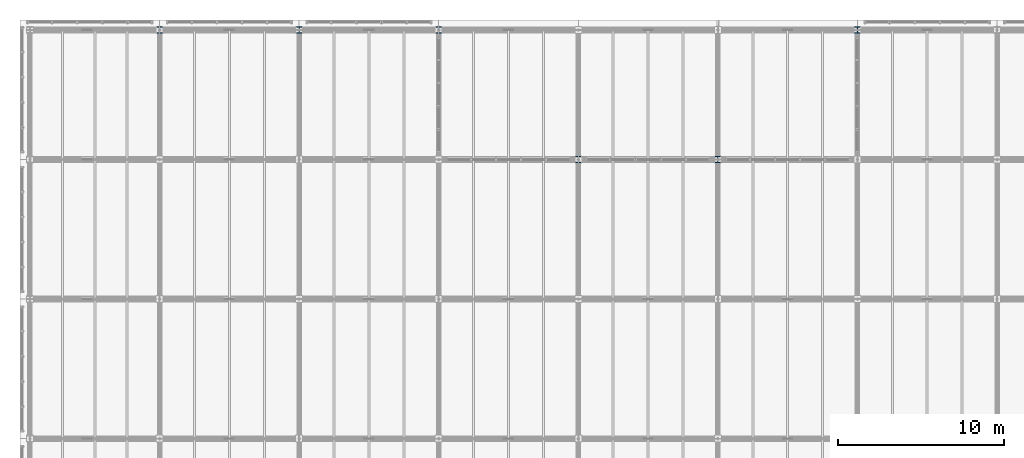
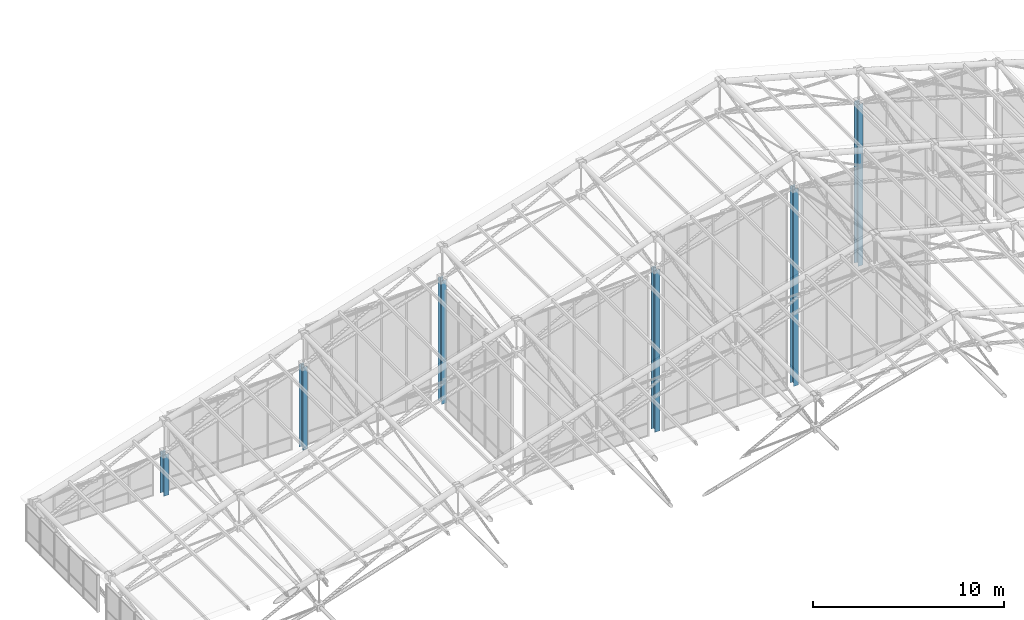
# One storey, part 7 of 144: 6 columns.
"""IFC4 building model written with IfcOpenShell, lengths in metres."""

from ifc_helpers import new_model, si_unit, direction, frame, origin, origin_2d, place, context, subcontext, project, spatial, i_section, extrude, material, material_profile, profile_set, type_object, element, save


model = new_model("IFC4")

# Units and contexts
model_context = context("Model", 3, precision=1e-05, world=origin(), true_north=direction((0.0, 1.0)))
body_context = subcontext(model_context, "Body", "Model", "MODEL_VIEW")
ifc_project = project(units=[si_unit("LENGTHUNIT", "METRE"), si_unit("AREAUNIT", "SQUARE_METRE"), si_unit("VOLUMEUNIT", "CUBIC_METRE"), si_unit("PLANEANGLEUNIT", "RADIAN"), si_unit("MASSUNIT", "GRAM", prefix="KILO")], contexts=[model_context])

# Site, building, storey
site_placement = place(None, origin())
site = spatial("IfcSite", under=ifc_project, at=site_placement, CompositionType="ELEMENT")
building_placement = place(site_placement, origin())
building = spatial("IfcBuilding", under=site, at=building_placement, Name="Zayran Congress Hotel", CompositionType="ELEMENT")
storey_placement = place(building_placement, frame((0.0, 0.0, 19.199951171875)))
storey = spatial("IfcBuildingStorey", under=building, at=storey_placement, Name="L04", CompositionType="ELEMENT", Elevation=19.199951171875)

# Columns
ifc_material = material(Name="Steel S355", Category="steel")
ifc_material_profile = material_profile(ifc_material, i_section(OverallWidth=0.300048828125, OverallDepth=0.39990234375, WebThickness=0.013427734375, FlangeThickness=0.02392578125, at=origin_2d()), Name="HEB 400")
ifc_profile_set = profile_set([ifc_material_profile], Name="Steel S355")
column_type = type_object("IfcColumnType", Name="TP-CL-07", PredefinedType="COLUMN", material=ifc_profile_set)
column_1_placement = place(storey_placement, frame((16.800048828125, 117.39990234375, 0.0), z_axis=(0.0, 0.0, 1.0), x_axis=(1.0, 0.0, 0.0)))
element("IfcColumn", 1, at=column_1_placement, inside=storey, type_object=column_type, Name="COL-V1-GAB-1410", PredefinedType="COLUMN", context=body_context, shape_type="SweptSolid", body=[
    extrude(i_section(OverallWidth=0.300048828125, OverallDepth=0.39990234375, WebThickness=0.013427734375, FlangeThickness=0.02392578125, at=origin_2d()), origin(), (0.0, 0.0, 1.0), 2.650146484375),
])
column_2_placement = place(storey_placement, frame((25.199951171875, 117.39990234375, 0.0), z_axis=(0.0, 0.0, 1.0), x_axis=(1.0, 0.0, 0.0)))
element("IfcColumn", 2, at=column_2_placement, inside=storey, type_object=column_type, Name="COL-V1-GAB-1412", PredefinedType="COLUMN", context=body_context, shape_type="SweptSolid", body=[
    extrude(i_section(OverallWidth=0.300048828125, OverallDepth=0.39990234375, WebThickness=0.013427734375, FlangeThickness=0.02392578125, at=origin_2d()), origin(), (0.0, 0.0, 1.0), 5.300048828125),
])
column_3_placement = place(storey_placement, frame((33.60009765625, 117.39990234375, 0.0), z_axis=(0.0, 0.0, 1.0), x_axis=(1.0, 0.0, 0.0)))
element("IfcColumn", 3, at=column_3_placement, inside=storey, type_object=column_type, Name="COL-V1-GAB-1414", PredefinedType="COLUMN", context=body_context, shape_type="SweptSolid", body=[
    extrude(i_section(OverallWidth=0.300048828125, OverallDepth=0.39990234375, WebThickness=0.013427734375, FlangeThickness=0.02392578125, at=origin_2d()), origin(), (0.0, 0.0, 1.0), 7.900146484375),
])
column_4_placement = place(storey_placement, frame((42.0, 109.60009765625, 0.0), z_axis=(0.0, 0.0, 1.0), x_axis=(1.0, 0.0, 0.0)))
element("IfcColumn", 4, at=column_4_placement, inside=storey, type_object=column_type, Name="COL-V1-GAB-1416", PredefinedType="COLUMN", context=body_context, shape_type="SweptSolid", body=[
    extrude(i_section(OverallWidth=0.300048828125, OverallDepth=0.39990234375, WebThickness=0.013427734375, FlangeThickness=0.02392578125, at=origin_2d()), origin(), (0.0, 0.0, 1.0), 10.35009765625),
])
column_5_placement = place(storey_placement, frame((50.39990234375, 109.60009765625, 0.0), z_axis=(0.0, 0.0, 1.0), x_axis=(1.0, 0.0, 0.0)))
element("IfcColumn", 5, at=column_5_placement, inside=storey, type_object=column_type, Name="COL-V1-GAB-1418", PredefinedType="COLUMN", context=body_context, shape_type="SweptSolid", body=[
    extrude(i_section(OverallWidth=0.300048828125, OverallDepth=0.39990234375, WebThickness=0.013427734375, FlangeThickness=0.02392578125, at=origin_2d()), origin(), (0.0, 0.0, 1.0), 12.60009765625),
])
column_6_placement = place(storey_placement, frame((58.800048828125, 117.39990234375, 0.0), z_axis=(0.0, 0.0, 1.0), x_axis=(1.0, 0.0, 0.0)))
element("IfcColumn", 6, at=column_6_placement, inside=storey, type_object=column_type, Name="COL-V1-GAB-1420", PredefinedType="COLUMN", context=body_context, shape_type="SweptSolid", body=[
    extrude(i_section(OverallWidth=0.300048828125, OverallDepth=0.39990234375, WebThickness=0.013427734375, FlangeThickness=0.02392578125, at=origin_2d()), origin(), (0.0, 0.0, 1.0), 10.35009765625),
])

save(model, "model.ifc")
